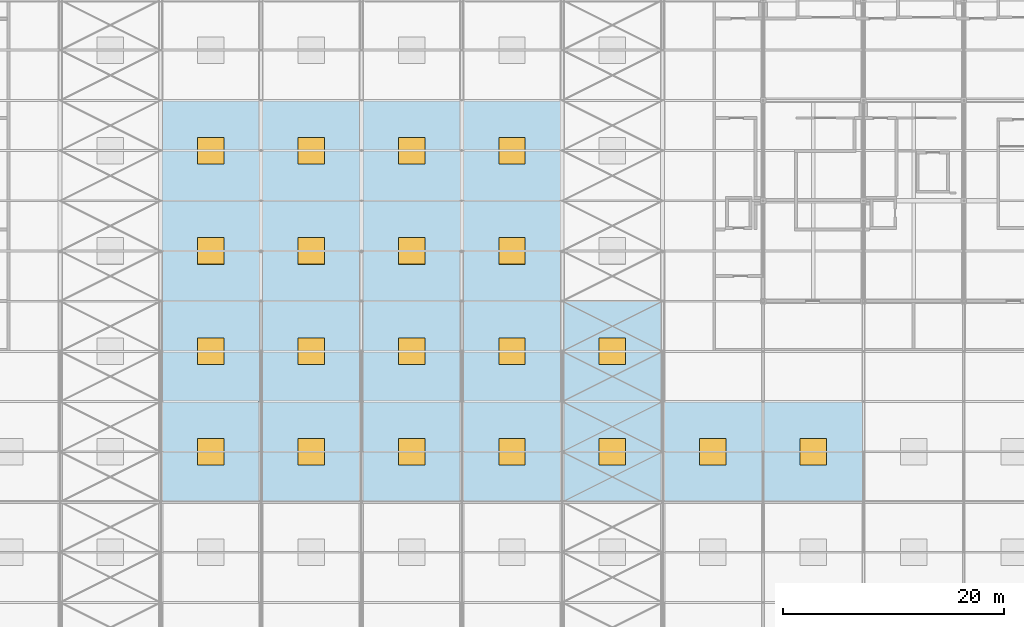
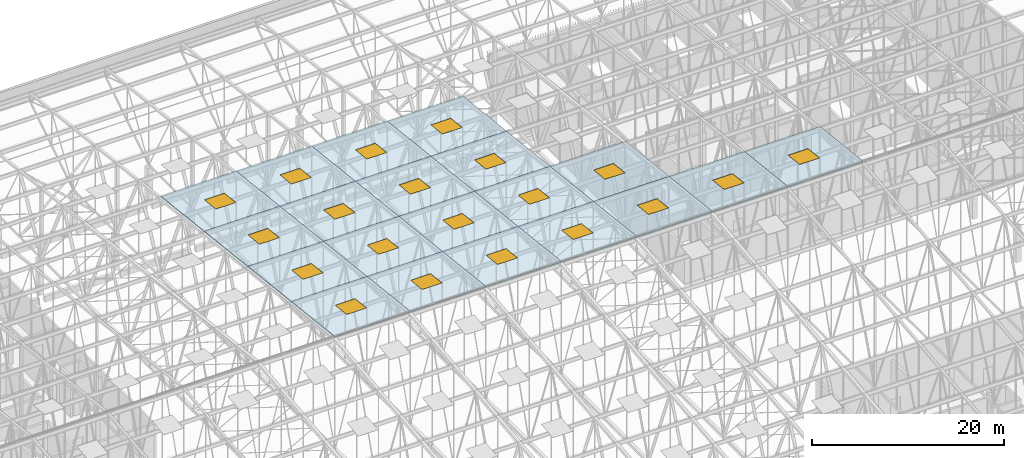
# One storey, part 421 of 500: 20 slabs, 20 windows, 20 openings.
"""IFC4 building model written with IfcOpenShell, lengths in metres."""

import ifcopenshell
import ifcopenshell.guid

model = None  # the IFC model being written
_history = None  # IfcOwnerHistory: only IFC2X3 demands one
_inside = {}  # id of a spatial element -> (the spatial element, [elements in it])
_under = {}  # id of a project, library or spatial element -> (it, [spatial elements below it])
_declared = {}  # id of a project -> (the project, [libraries it declares])
_typed = {}  # id of a type object -> (the type object, [elements of that type])
_made_of = {}  # id of a material, layer set ... -> (it, [elements and type objects made of it])


def new_model(schema):
    """Start an empty IFC model of exactly this schema.

    Asked for "IFC4X3", IfcOpenShell would pick the latest addendum, in which some entities
    have other attributes; the version numbers below select the first issue.
    IFC2X3 requires an IfcOwnerHistory on every rooted entity: one is made here for all.
    """
    global model, _history
    if schema == "IFC4X3":
        model = ifcopenshell.file(schema_version=(4, 3, 0, 0))
    else:
        model = ifcopenshell.file(schema=schema)
    _inside.clear()
    _under.clear()
    _declared.clear()
    _typed.clear()
    _made_of.clear()
    _history = None
    if model.schema == "IFC2X3":
        org = make("IfcOrganization", Name="unknown")
        user = make(
            "IfcPersonAndOrganization",
            ThePerson=make("IfcPerson", FamilyName="unknown"),
            TheOrganization=org,
        )
        app = make(
            "IfcApplication",
            ApplicationDeveloper=org,
            Version="unknown",
            ApplicationFullName="unknown",
            ApplicationIdentifier="unknown",
        )
        _history = make(
            "IfcOwnerHistory",
            OwningUser=user,
            OwningApplication=app,
            ChangeAction="ADDED",
            CreationDate=0,
        )
    return model


def make(cls, **values):
    """One entity of the class cls with the attributes given. An attribute that is None is left unset."""
    return model.create_entity(
        cls, **{name: value for name, value in values.items() if value is not None}
    )


def rooted(cls, **values):
    """An entity with a GlobalId (a new one), such as an element, a storey or a relation."""
    return make(cls, GlobalId=ifcopenshell.guid.new(), OwnerHistory=_history, **values)


def si_unit(unit_type, name, prefix=None):
    """IfcSIUnit, for example si_unit("LENGTHUNIT", "METRE", prefix="MILLI")."""
    return make("IfcSIUnit", UnitType=unit_type, Prefix=prefix, Name=name)


def assignment(units):
    """IfcUnitAssignment: the units of a project."""
    return None if units is None else make("IfcUnitAssignment", Units=units)


def point(xyz):
    """IfcCartesianPoint."""
    return None if xyz is None else make("IfcCartesianPoint", Coordinates=xyz)


def direction(xyz):
    """IfcDirection."""
    return None if xyz is None else make("IfcDirection", DirectionRatios=xyz)


def frame(location, z_axis=None, x_axis=None):
    """IfcAxis2Placement3D, a coordinate frame: its origin and axes. An axis left out is left unset."""
    return make(
        "IfcAxis2Placement3D",
        Location=point(location),
        Axis=direction(z_axis),
        RefDirection=direction(x_axis),
    )


def frame_2d(location, x_axis=None):
    """IfcAxis2Placement2D, a coordinate frame in the plane: its origin and x axis."""
    return make(
        "IfcAxis2Placement2D", Location=point(location), RefDirection=direction(x_axis)
    )


def origin():
    """The frame at (0, 0, 0) with its axes left unset."""
    return frame((0.0, 0.0, 0.0))


def origin_2d():
    """The frame at (0, 0) in the plane with its x axis left unset."""
    return frame_2d((0.0, 0.0))


def place(relative_to, where):
    """IfcLocalPlacement: puts the frame where relative to a parent placement (None: the world)."""
    return make(
        "IfcLocalPlacement", PlacementRelTo=relative_to, RelativePlacement=where
    )


def context(
    kind, dimensions, precision=None, world=None, true_north=None, identifier=None
):
    """IfcGeometricRepresentationContext, for example the 3D "Model" context."""
    return make(
        "IfcGeometricRepresentationContext",
        ContextIdentifier=identifier,
        ContextType=kind,
        CoordinateSpaceDimension=dimensions,
        Precision=precision,
        WorldCoordinateSystem=world,
        TrueNorth=true_north,
    )


def subcontext(parent, identifier, kind, view, scale=None):
    """IfcGeometricRepresentationSubContext, for example "Body" below "Model"."""
    return make(
        "IfcGeometricRepresentationSubContext",
        ContextIdentifier=identifier,
        ContextType=kind,
        ParentContext=parent,
        TargetScale=scale,
        TargetView=view,
    )


def project(units=None, contexts=None):
    """IfcProject with its units and contexts."""
    return rooted(
        "IfcProject",
        Name="project",
        RepresentationContexts=contexts,
        UnitsInContext=assignment(units),
    )


def spatial(cls, under=None, at=None, **own):
    """A site, building, storey or space (cls), placed at a placement, below another one or the project."""
    s = rooted(cls, ObjectPlacement=at, **own)
    if under is not None:
        _under.setdefault(under.id(), (under, []))[1].append(s)
    return s


def polyline(points):
    """IfcPolyline through the points."""
    return make("IfcPolyline", Points=[point(p) for p in points])


def profile(cls, at=None, kind="AREA", **sizes):
    """A parametric profile (cls). Its sizes go by their IFC names, for example OverallWidth=200.0."""
    return make(cls, ProfileType=kind, Position=at, **sizes)


def rectangle(**sizes):
    """IfcRectangleProfileDef."""
    return profile("IfcRectangleProfileDef", **sizes)


def outline(outer, holes=None, kind="AREA"):
    """IfcArbitraryClosedProfileDef: a profile drawn as a closed curve; with holes, ...WithVoids."""
    if holes is None:
        return make("IfcArbitraryClosedProfileDef", ProfileType=kind, OuterCurve=outer)
    return make(
        "IfcArbitraryProfileDefWithVoids",
        ProfileType=kind,
        OuterCurve=outer,
        InnerCurves=holes,
    )


def extrude(swept, where, along, depth):
    """IfcExtrudedAreaSolid: the profile swept, set in the frame where, extruded along a direction by depth."""
    return make(
        "IfcExtrudedAreaSolid",
        SweptArea=swept,
        Position=where,
        ExtrudedDirection=direction(along),
        Depth=depth,
    )


def shape(context_of_items, identifier, shape_type, items):
    """IfcShapeRepresentation: the items that make up one representation, for example the "Body"."""
    return make(
        "IfcShapeRepresentation",
        ContextOfItems=context_of_items,
        RepresentationIdentifier=identifier,
        RepresentationType=shape_type,
        Items=items,
    )


def material(Name=None, Category=None):
    """IfcMaterial."""
    return make("IfcMaterial", Name=Name, Category=Category)


def layer(
    of_material, thickness, ventilated=None, Name=None, Category=None, Priority=None
):
    """IfcMaterialLayer: one layer of a wall or slab, of a material (None: an air gap)."""
    return make(
        "IfcMaterialLayer",
        Material=of_material,
        LayerThickness=thickness,
        IsVentilated=ventilated,
        Name=Name,
        Category=Category,
        Priority=Priority,
    )


def layer_set(layers, Name=None):
    """IfcMaterialLayerSet."""
    return make("IfcMaterialLayerSet", MaterialLayers=layers, LayerSetName=Name)


def made_of(thing, what):
    """Note that an element or type object is made of a material, layer set ...; save() writes the relation."""
    if what is not None:
        _made_of.setdefault(what.id(), (what, []))[1].append(thing)
    return thing


def type_object(cls, material=None, **own):
    """A type object (cls), such as IfcWallType, which elements share."""
    return made_of(rooted(cls, **own), material)


def element(
    cls,
    number,
    at=None,
    inside=None,
    cuts=None,
    type_object=None,
    material=None,
    context=None,
    identifier="Body",
    shape_type=None,
    held_by="IfcProductDefinitionShape",
    body=None,
    shapes=None,
    **own,
):
    """One element of the class cls, such as IfcWall. Its Tag is "e" and its number.

    at: its placement. inside: the storey or other place that contains it. cuts: it is an
    opening in that element (IfcRelVoidsElement). A single representation is given by context,
    identifier, shape_type and body (its items); several are given by shapes. held_by: the class
    of the entity that holds the representations. save() writes the other relations.
    """
    e = rooted(cls, Tag="e%d" % number, ObjectPlacement=at, **own)
    if body is not None:
        shapes = [shape(context, identifier, shape_type, body)]
    if shapes is not None:
        e.Representation = make(held_by, Representations=shapes)
    if inside is not None:
        _inside.setdefault(inside.id(), (inside, []))[1].append(e)
    if cuts is not None:
        rooted(
            "IfcRelVoidsElement", RelatingBuildingElement=cuts, RelatedOpeningElement=e
        )
    if type_object is not None:
        _typed.setdefault(type_object.id(), (type_object, []))[1].append(e)
    return made_of(e, material)


def fill(opening, filler):
    """IfcRelFillsElement: the door or window that sits in an opening."""
    return rooted(
        "IfcRelFillsElement",
        RelatingOpeningElement=opening,
        RelatedBuildingElement=filler,
    )


def aggregate(whole, parts):
    """IfcRelAggregates: a whole, such as a stair, and the parts it consists of."""
    return rooted("IfcRelAggregates", RelatingObject=whole, RelatedObjects=parts)


def save(model, path):
    """Write the relations noted so far, then the file.

    IfcRelAggregates (storeys below a building ...), IfcRelContainedInSpatialStructure (elements
    in a storey), IfcRelDefinesByType, IfcRelAssociatesMaterial and IfcRelDeclares: one each for
    every whole, place, type object, material and project.
    """
    for whole, parts in _under.values():
        aggregate(whole, parts)
    for where, things in _inside.values():
        rooted(
            "IfcRelContainedInSpatialStructure",
            RelatedElements=things,
            RelatingStructure=where,
        )
    for kind, things in _typed.values():
        rooted("IfcRelDefinesByType", RelatedObjects=things, RelatingType=kind)
    for what, things in _made_of.values():
        rooted("IfcRelAssociatesMaterial", RelatedObjects=things, RelatingMaterial=what)
    for by, libraries in _declared.values():
        rooted("IfcRelDeclares", RelatingContext=by, RelatedDefinitions=libraries)
    model.write(path)


model = new_model("IFC4")

# Units and contexts
model_context = context("Model", 3, precision=1e-05, world=origin(), true_north=direction((0.0, 1.0)))
body_context = subcontext(model_context, "Body", "Model", "MODEL_VIEW")
ifc_project = project(units=[si_unit("LENGTHUNIT", "METRE"), si_unit("AREAUNIT", "SQUARE_METRE"), si_unit("VOLUMEUNIT", "CUBIC_METRE"), si_unit("PLANEANGLEUNIT", "RADIAN"), si_unit("MASSUNIT", "GRAM", prefix="KILO")], contexts=[model_context])

# Site, building, storey
site_placement = place(None, origin())
site = spatial("IfcSite", under=ifc_project, at=site_placement, CompositionType="ELEMENT")
building_placement = place(site_placement, origin())
building = spatial("IfcBuilding", under=site, at=building_placement, Name="Shirokan Park Arena", CompositionType="ELEMENT")
storey_placement = place(building_placement, frame((0.0, 0.0, 29.1201171875)))
storey = spatial("IfcBuildingStorey", under=building, at=storey_placement, Name="L06", CompositionType="ELEMENT", Elevation=29.1201171875)

# Slab, opening, window
ifc_material_1 = material(Name="Concrete C30 precast", Category="concrete")
ifc_layer = layer(ifc_material_1, 0.1201171875)
ifc_layer_set = layer_set([ifc_layer], Name="Concrete C30 precast 120 mm")
slab_type = type_object("IfcSlabType", Name="Roof deck panel 120", PredefinedType="ROOF", material=ifc_layer_set)
slab_1_placement = place(storey_placement, frame((54.60009765625, 54.60009765625, 19.110595703125), z_axis=(0.0, 0.113552605302, 0.993531985308), x_axis=(1.0, 0.0, 0.0)))
slab_1 = element("IfcSlab", 1, at=slab_1_placement, inside=storey, type_object=slab_type, Name="Roof deck panel 8-8", PredefinedType="ROOF", context=body_context, shape_type="SweptSolid", body=[
    extrude(outline(polyline([(0.0, 0.0), (9.099853515625, 0.0), (9.099853515625, 9.159094674549365), (0.0, 9.159094674549365), (0.0, 0.0)]), holes=[polyline([(3.349853515625, 3.371655970585497), (5.75, 3.371655970585497), (5.75, 5.787410981159839), (3.349853515625, 5.787410981159839), (3.349853515625, 3.371655970585497)])]), origin(), (0.0, 0.0, -1.0), 0.1201171875),
])
opening_1_placement = place(slab_1_placement, frame((4.5498046875, 4.579345703125, 0.010009765625)))
opening_1 = element("IfcOpeningElement", 2, at=opening_1_placement, cuts=slab_1, Name="Opening RL1", PredefinedType="OPENING", context=body_context, shape_type="SweptSolid", body=[
    extrude(rectangle(XDim=2.39990234375, YDim=2.415526001417119, at=origin_2d()), origin(), (0.0, 0.0, -1.0), 0.139892578125),
])
ifc_material_2 = material(Name="Aluminium frame with laminated glass", Category="aluminium")
window_type = type_object("IfcWindowType", Name="Roof light 2400x2400", PartitioningType="SINGLE_PANEL", PredefinedType="SKYLIGHT", material=ifc_material_2)
window_1_placement = place(opening_1_placement, frame((0.0, 0.0, -0.06005859375)))
window_1 = element("IfcWindow", 3, at=window_1_placement, inside=storey, type_object=window_type, Name="Roof light 08-08", OverallHeight=2.415526001417119, OverallWidth=2.39990234375, PartitioningType="SINGLE_PANEL", PredefinedType="SKYLIGHT", context=body_context, shape_type="SweptSolid", body=[
    extrude(rectangle(XDim=2.39990234375, YDim=2.415526001417119, at=origin_2d()), origin(), (0.0, 0.0, 1.0), 0.050048828125),
])
fill(opening_1, window_1)

slab_2_placement = place(storey_placement, frame((54.60009765625, 63.699951171875, 18.070556640625), z_axis=(0.0, 0.113523286872, 0.993535335727), x_axis=(1.0, 0.0, 0.0)))
slab_2 = element("IfcSlab", 4, at=slab_2_placement, inside=storey, type_object=slab_type, Name="Roof deck panel 8-9", PredefinedType="ROOF", context=body_context, shape_type="SweptSolid", body=[
    extrude(outline(polyline([(0.0, 0.0), (9.099853515625, 0.0), (9.099853515625, 9.159309517253131), (0.0, 9.159309517253131), (0.0, 0.0)]), holes=[polyline([(3.349853515625, 3.371898532875618), (5.75, 3.371898532875618), (5.75, 5.787410984377513), (3.349853515625, 5.787410984377513), (3.349853515625, 3.371898532875618)])]), origin(), (0.0, 0.0, -1.0), 0.1201171875),
])
opening_2_placement = place(slab_2_placement, frame((4.5498046875, 4.57958984375, 0.010009765625)))
opening_2 = element("IfcOpeningElement", 5, at=opening_2_placement, cuts=slab_2, Name="Opening RL1", PredefinedType="OPENING", context=body_context, shape_type="SweptSolid", body=[
    extrude(rectangle(XDim=2.39990234375, YDim=2.4155178557331727, at=origin_2d()), origin(), (0.0, 0.0, -1.0), 0.139892578125),
])
window_2_placement = place(opening_2_placement, frame((0.0, 0.0, -0.06005859375)))
window_2 = element("IfcWindow", 6, at=window_2_placement, inside=storey, type_object=window_type, Name="Roof light 08-09", OverallHeight=2.4155178557331727, OverallWidth=2.39990234375, PartitioningType="SINGLE_PANEL", PredefinedType="SKYLIGHT", context=body_context, shape_type="SweptSolid", body=[
    extrude(rectangle(XDim=2.39990234375, YDim=2.4155178557331727, at=origin_2d()), origin(), (0.0, 0.0, 1.0), 0.050048828125),
])
fill(opening_2, window_2)

slab_3_placement = place(storey_placement, frame((54.60009765625, 72.800048828125, 17.03076171875), z_axis=(0.0, 0.113552605302, 0.993531985308), x_axis=(1.0, 0.0, 0.0)))
slab_3 = element("IfcSlab", 7, at=slab_3_placement, inside=storey, type_object=slab_type, Name="Roof deck panel 8-10", PredefinedType="ROOF", context=body_context, shape_type="SweptSolid", body=[
    extrude(outline(polyline([(0.0, 0.0), (9.099853515625, 0.0), (9.099853515625, 9.159094674549365), (0.0, 9.159094674549365), (0.0, 0.0)]), holes=[polyline([(3.349853515625, 3.371683693389526), (5.75, 3.371683693389526), (5.75, 5.7874387039638675), (3.349853515625, 5.7874387039638675), (3.349853515625, 3.371683693389526)])]), origin(), (0.0, 0.0, -1.0), 0.1201171875),
])
opening_3_placement = place(slab_3_placement, frame((4.5498046875, 4.57958984375, 0.010009765625)))
opening_3 = element("IfcOpeningElement", 8, at=opening_3_placement, cuts=slab_3, Name="Opening RL1", PredefinedType="OPENING", context=body_context, shape_type="SweptSolid", body=[
    extrude(rectangle(XDim=2.39990234375, YDim=2.415526001417119, at=origin_2d()), origin(), (0.0, 0.0, -1.0), 0.139892578125),
])
window_3_placement = place(opening_3_placement, frame((0.0, 0.0, -0.06005859375)))
window_3 = element("IfcWindow", 9, at=window_3_placement, inside=storey, type_object=window_type, Name="Roof light 08-10", OverallHeight=2.415526001417119, OverallWidth=2.39990234375, PartitioningType="SINGLE_PANEL", PredefinedType="SKYLIGHT", context=body_context, shape_type="SweptSolid", body=[
    extrude(rectangle(XDim=2.39990234375, YDim=2.415526001417119, at=origin_2d()), origin(), (0.0, 0.0, 1.0), 0.050048828125),
])
fill(opening_3, window_3)

slab_4_placement = place(storey_placement, frame((54.60009765625, 81.89990234375, 15.99072265625), z_axis=(0.0, 0.113549598152, 0.993532328996), x_axis=(1.0, 0.0, 0.0)))
slab_4 = element("IfcSlab", 10, at=slab_4_placement, inside=storey, type_object=slab_type, Name="Roof deck panel 8-11", PredefinedType="ROOF", context=body_context, shape_type="SweptSolid", body=[
    extrude(outline(polyline([(0.0, 0.0), (9.099853515625, 0.0), (9.099853515625, 9.15933723611117), (0.0, 9.15933723611117), (0.0, 0.0)]), holes=[polyline([(3.349853515625, 3.371898532319491), (5.75, 3.371898532319491), (5.75, 5.787438703791679), (3.349853515625, 5.787438703791679), (3.349853515625, 3.371898532319491)])]), origin(), (0.0, 0.0, -1.0), 0.1201171875),
])
opening_4_placement = place(slab_4_placement, frame((4.5498046875, 4.57958984375, 0.010009765625)))
opening_4 = element("IfcOpeningElement", 11, at=opening_4_placement, cuts=slab_4, Name="Opening RL1", PredefinedType="OPENING", context=body_context, shape_type="SweptSolid", body=[
    extrude(rectangle(XDim=2.39990234375, YDim=2.4155251658253154, at=origin_2d()), origin(), (0.0, 0.0, -1.0), 0.139892578125),
])
window_4_placement = place(opening_4_placement, frame((0.0, 0.0, -0.06005859375)))
window_4 = element("IfcWindow", 12, at=window_4_placement, inside=storey, type_object=window_type, Name="Roof light 08-11", OverallHeight=2.4155251658253154, OverallWidth=2.39990234375, PartitioningType="SINGLE_PANEL", PredefinedType="SKYLIGHT", context=body_context, shape_type="SweptSolid", body=[
    extrude(rectangle(XDim=2.39990234375, YDim=2.4155251658253154, at=origin_2d()), origin(), (0.0, 0.0, 1.0), 0.050048828125),
])
fill(opening_4, window_4)

slab_5_placement = place(storey_placement, frame((63.699951171875, 54.60009765625, 19.110595703125), z_axis=(0.0, 0.113552605302, 0.993531985308), x_axis=(1.0, 0.0, 0.0)))
slab_5 = element("IfcSlab", 13, at=slab_5_placement, inside=storey, type_object=slab_type, Name="Roof deck panel 9-8", PredefinedType="ROOF", context=body_context, shape_type="SweptSolid", body=[
    extrude(outline(polyline([(0.0, 0.0), (9.10009765625, 0.0), (9.10009765625, 9.159094674549367), (0.0, 9.159094674549367), (0.0, 0.0)]), holes=[polyline([(3.35009765625, 3.3716559705854974), (5.75, 3.3716559705854974), (5.75, 5.78741098115984), (3.35009765625, 5.78741098115984), (3.35009765625, 3.3716559705854974)])]), origin(), (0.0, 0.0, -1.0), 0.1201171875),
])
opening_5_placement = place(slab_5_placement, frame((4.550048828125, 4.579345703125, 0.010009765625)))
opening_5 = element("IfcOpeningElement", 14, at=opening_5_placement, cuts=slab_5, Name="Opening RL1", PredefinedType="OPENING", context=body_context, shape_type="SweptSolid", body=[
    extrude(rectangle(XDim=2.39990234375, YDim=2.4155260014171187, at=origin_2d()), origin(), (0.0, 0.0, -1.0), 0.139892578125),
])
window_5_placement = place(opening_5_placement, frame((0.0, 0.0, -0.06005859375)))
window_5 = element("IfcWindow", 15, at=window_5_placement, inside=storey, type_object=window_type, Name="Roof light 09-08", OverallHeight=2.4155260014171187, OverallWidth=2.39990234375, PartitioningType="SINGLE_PANEL", PredefinedType="SKYLIGHT", context=body_context, shape_type="SweptSolid", body=[
    extrude(rectangle(XDim=2.39990234375, YDim=2.4155260014171187, at=origin_2d()), origin(), (0.0, 0.0, 1.0), 0.050048828125),
])
fill(opening_5, window_5)

slab_6_placement = place(storey_placement, frame((63.699951171875, 63.699951171875, 18.070556640625), z_axis=(0.0, 0.113523286872, 0.993535335727), x_axis=(1.0, 0.0, 0.0)))
slab_6 = element("IfcSlab", 16, at=slab_6_placement, inside=storey, type_object=slab_type, Name="Roof deck panel 9-9", PredefinedType="ROOF", context=body_context, shape_type="SweptSolid", body=[
    extrude(outline(polyline([(0.0, 0.0), (9.10009765625, 0.0), (9.10009765625, 9.159309517253131), (0.0, 9.159309517253131), (0.0, 0.0)]), holes=[polyline([(3.35009765625, 3.371898532875618), (5.75, 3.371898532875618), (5.75, 5.787410984377513), (3.35009765625, 5.787410984377513), (3.35009765625, 3.371898532875618)])]), origin(), (0.0, 0.0, -1.0), 0.1201171875),
])
opening_6_placement = place(slab_6_placement, frame((4.550048828125, 4.57958984375, 0.010009765625)))
opening_6 = element("IfcOpeningElement", 17, at=opening_6_placement, cuts=slab_6, Name="Opening RL1", PredefinedType="OPENING", context=body_context, shape_type="SweptSolid", body=[
    extrude(rectangle(XDim=2.39990234375, YDim=2.4155178557331727, at=origin_2d()), origin(), (0.0, 0.0, -1.0), 0.139892578125),
])
window_6_placement = place(opening_6_placement, frame((0.0, 0.0, -0.06005859375)))
window_6 = element("IfcWindow", 18, at=window_6_placement, inside=storey, type_object=window_type, Name="Roof light 09-09", OverallHeight=2.4155178557331727, OverallWidth=2.39990234375, PartitioningType="SINGLE_PANEL", PredefinedType="SKYLIGHT", context=body_context, shape_type="SweptSolid", body=[
    extrude(rectangle(XDim=2.39990234375, YDim=2.4155178557331727, at=origin_2d()), origin(), (0.0, 0.0, 1.0), 0.050048828125),
])
fill(opening_6, window_6)

slab_7_placement = place(storey_placement, frame((63.699951171875, 72.800048828125, 17.03076171875), z_axis=(0.0, 0.113552605302, 0.993531985308), x_axis=(1.0, 0.0, 0.0)))
slab_7 = element("IfcSlab", 19, at=slab_7_placement, inside=storey, type_object=slab_type, Name="Roof deck panel 9-10", PredefinedType="ROOF", context=body_context, shape_type="SweptSolid", body=[
    extrude(outline(polyline([(0.0, 0.0), (9.10009765625, 0.0), (9.10009765625, 9.159094674549367), (0.0, 9.159094674549367), (0.0, 0.0)]), holes=[polyline([(3.35009765625, 3.3716836933895262), (5.75, 3.3716836933895262), (5.75, 5.787438703963868), (3.35009765625, 5.787438703963868), (3.35009765625, 3.3716836933895262)])]), origin(), (0.0, 0.0, -1.0), 0.1201171875),
])
opening_7_placement = place(slab_7_placement, frame((4.550048828125, 4.57958984375, 0.010009765625)))
opening_7 = element("IfcOpeningElement", 20, at=opening_7_placement, cuts=slab_7, Name="Opening RL1", PredefinedType="OPENING", context=body_context, shape_type="SweptSolid", body=[
    extrude(rectangle(XDim=2.39990234375, YDim=2.4155260014171187, at=origin_2d()), origin(), (0.0, 0.0, -1.0), 0.139892578125),
])
window_7_placement = place(opening_7_placement, frame((0.0, 0.0, -0.06005859375)))
window_7 = element("IfcWindow", 21, at=window_7_placement, inside=storey, type_object=window_type, Name="Roof light 09-10", OverallHeight=2.4155260014171187, OverallWidth=2.39990234375, PartitioningType="SINGLE_PANEL", PredefinedType="SKYLIGHT", context=body_context, shape_type="SweptSolid", body=[
    extrude(rectangle(XDim=2.39990234375, YDim=2.4155260014171187, at=origin_2d()), origin(), (0.0, 0.0, 1.0), 0.050048828125),
])
fill(opening_7, window_7)

slab_8_placement = place(storey_placement, frame((63.699951171875, 81.89990234375, 15.99072265625), z_axis=(0.0, 0.113549598152, 0.993532328996), x_axis=(1.0, 0.0, 0.0)))
slab_8 = element("IfcSlab", 22, at=slab_8_placement, inside=storey, type_object=slab_type, Name="Roof deck panel 9-11", PredefinedType="ROOF", context=body_context, shape_type="SweptSolid", body=[
    extrude(outline(polyline([(0.0, 0.0), (9.10009765625, 0.0), (9.10009765625, 9.15933723611117), (0.0, 9.15933723611117), (0.0, 0.0)]), holes=[polyline([(3.35009765625, 3.3718985323194914), (5.75, 3.3718985323194914), (5.75, 5.78743870379168), (3.35009765625, 5.78743870379168), (3.35009765625, 3.3718985323194914)])]), origin(), (0.0, 0.0, -1.0), 0.1201171875),
])
opening_8_placement = place(slab_8_placement, frame((4.550048828125, 4.57958984375, 0.010009765625)))
opening_8 = element("IfcOpeningElement", 23, at=opening_8_placement, cuts=slab_8, Name="Opening RL1", PredefinedType="OPENING", context=body_context, shape_type="SweptSolid", body=[
    extrude(rectangle(XDim=2.39990234375, YDim=2.4155251658253154, at=origin_2d()), origin(), (0.0, 0.0, -1.0), 0.139892578125),
])
window_8_placement = place(opening_8_placement, frame((0.0, 0.0, -0.06005859375)))
window_8 = element("IfcWindow", 24, at=window_8_placement, inside=storey, type_object=window_type, Name="Roof light 09-11", OverallHeight=2.4155251658253154, OverallWidth=2.39990234375, PartitioningType="SINGLE_PANEL", PredefinedType="SKYLIGHT", context=body_context, shape_type="SweptSolid", body=[
    extrude(rectangle(XDim=2.39990234375, YDim=2.4155251658253154, at=origin_2d()), origin(), (0.0, 0.0, 1.0), 0.050048828125),
])
fill(opening_8, window_8)

slab_9_placement = place(storey_placement, frame((72.800048828125, 54.60009765625, 19.110595703125), z_axis=(0.0, 0.113552605302, 0.993531985308), x_axis=(1.0, 0.0, 0.0)))
slab_9 = element("IfcSlab", 25, at=slab_9_placement, inside=storey, type_object=slab_type, Name="Roof deck panel 10-8", PredefinedType="ROOF", context=body_context, shape_type="SweptSolid", body=[
    extrude(outline(polyline([(0.0, 0.0), (9.099853515625, 0.0), (9.099853515625, 9.159094674549365), (0.0, 9.159094674549365), (0.0, 0.0)]), holes=[polyline([(3.349853515625, 3.371655970585497), (5.75, 3.371655970585497), (5.75, 5.787410981159839), (3.349853515625, 5.787410981159839), (3.349853515625, 3.371655970585497)])]), origin(), (0.0, 0.0, -1.0), 0.1201171875),
])
opening_9_placement = place(slab_9_placement, frame((4.550048828125, 4.579345703125, 0.010009765625)))
opening_9 = element("IfcOpeningElement", 26, at=opening_9_placement, cuts=slab_9, Name="Opening RL1", PredefinedType="OPENING", context=body_context, shape_type="SweptSolid", body=[
    extrude(rectangle(XDim=2.39990234375, YDim=2.415526001417119, at=origin_2d()), origin(), (0.0, 0.0, -1.0), 0.139892578125),
])
window_9_placement = place(opening_9_placement, frame((0.0, 0.0, -0.06005859375)))
window_9 = element("IfcWindow", 27, at=window_9_placement, inside=storey, type_object=window_type, Name="Roof light 10-08", OverallHeight=2.415526001417119, OverallWidth=2.39990234375, PartitioningType="SINGLE_PANEL", PredefinedType="SKYLIGHT", context=body_context, shape_type="SweptSolid", body=[
    extrude(rectangle(XDim=2.39990234375, YDim=2.415526001417119, at=origin_2d()), origin(), (0.0, 0.0, 1.0), 0.050048828125),
])
fill(opening_9, window_9)

slab_10_placement = place(storey_placement, frame((72.800048828125, 63.699951171875, 18.070556640625), z_axis=(0.0, 0.113523286872, 0.993535335727), x_axis=(1.0, 0.0, 0.0)))
slab_10 = element("IfcSlab", 28, at=slab_10_placement, inside=storey, type_object=slab_type, Name="Roof deck panel 10-9", PredefinedType="ROOF", context=body_context, shape_type="SweptSolid", body=[
    extrude(outline(polyline([(0.0, 0.0), (9.099853515625, 0.0), (9.099853515625, 9.159309517253131), (0.0, 9.159309517253131), (0.0, 0.0)]), holes=[polyline([(3.349853515625, 3.371898532875618), (5.75, 3.371898532875618), (5.75, 5.787410984377513), (3.349853515625, 5.787410984377513), (3.349853515625, 3.371898532875618)])]), origin(), (0.0, 0.0, -1.0), 0.1201171875),
])
opening_10_placement = place(slab_10_placement, frame((4.550048828125, 4.57958984375, 0.010009765625)))
opening_10 = element("IfcOpeningElement", 29, at=opening_10_placement, cuts=slab_10, Name="Opening RL1", PredefinedType="OPENING", context=body_context, shape_type="SweptSolid", body=[
    extrude(rectangle(XDim=2.39990234375, YDim=2.4155178557331727, at=origin_2d()), origin(), (0.0, 0.0, -1.0), 0.139892578125),
])
window_10_placement = place(opening_10_placement, frame((0.0, 0.0, -0.06005859375)))
window_10 = element("IfcWindow", 30, at=window_10_placement, inside=storey, type_object=window_type, Name="Roof light 10-09", OverallHeight=2.4155178557331727, OverallWidth=2.39990234375, PartitioningType="SINGLE_PANEL", PredefinedType="SKYLIGHT", context=body_context, shape_type="SweptSolid", body=[
    extrude(rectangle(XDim=2.39990234375, YDim=2.4155178557331727, at=origin_2d()), origin(), (0.0, 0.0, 1.0), 0.050048828125),
])
fill(opening_10, window_10)

slab_11_placement = place(storey_placement, frame((72.800048828125, 72.800048828125, 17.03076171875), z_axis=(0.0, 0.113552605302, 0.993531985308), x_axis=(1.0, 0.0, 0.0)))
slab_11 = element("IfcSlab", 31, at=slab_11_placement, inside=storey, type_object=slab_type, Name="Roof deck panel 10-10", PredefinedType="ROOF", context=body_context, shape_type="SweptSolid", body=[
    extrude(outline(polyline([(0.0, 0.0), (9.099853515625, 0.0), (9.099853515625, 9.159094674549365), (0.0, 9.159094674549365), (0.0, 0.0)]), holes=[polyline([(3.349853515625, 3.371683693389526), (5.75, 3.371683693389526), (5.75, 5.7874387039638675), (3.349853515625, 5.7874387039638675), (3.349853515625, 3.371683693389526)])]), origin(), (0.0, 0.0, -1.0), 0.1201171875),
])
opening_11_placement = place(slab_11_placement, frame((4.550048828125, 4.57958984375, 0.010009765625)))
opening_11 = element("IfcOpeningElement", 32, at=opening_11_placement, cuts=slab_11, Name="Opening RL1", PredefinedType="OPENING", context=body_context, shape_type="SweptSolid", body=[
    extrude(rectangle(XDim=2.39990234375, YDim=2.415526001417119, at=origin_2d()), origin(), (0.0, 0.0, -1.0), 0.139892578125),
])
window_11_placement = place(opening_11_placement, frame((0.0, 0.0, -0.06005859375)))
window_11 = element("IfcWindow", 33, at=window_11_placement, inside=storey, type_object=window_type, Name="Roof light 10-10", OverallHeight=2.415526001417119, OverallWidth=2.39990234375, PartitioningType="SINGLE_PANEL", PredefinedType="SKYLIGHT", context=body_context, shape_type="SweptSolid", body=[
    extrude(rectangle(XDim=2.39990234375, YDim=2.415526001417119, at=origin_2d()), origin(), (0.0, 0.0, 1.0), 0.050048828125),
])
fill(opening_11, window_11)

slab_12_placement = place(storey_placement, frame((72.800048828125, 81.89990234375, 15.99072265625), z_axis=(0.0, 0.113549598152, 0.993532328996), x_axis=(1.0, 0.0, 0.0)))
slab_12 = element("IfcSlab", 34, at=slab_12_placement, inside=storey, type_object=slab_type, Name="Roof deck panel 10-11", PredefinedType="ROOF", context=body_context, shape_type="SweptSolid", body=[
    extrude(outline(polyline([(0.0, 0.0), (9.099853515625, 0.0), (9.099853515625, 9.15933723611117), (0.0, 9.15933723611117), (0.0, 0.0)]), holes=[polyline([(3.349853515625, 3.371898532319491), (5.75, 3.371898532319491), (5.75, 5.787438703791679), (3.349853515625, 5.787438703791679), (3.349853515625, 3.371898532319491)])]), origin(), (0.0, 0.0, -1.0), 0.1201171875),
])
opening_12_placement = place(slab_12_placement, frame((4.550048828125, 4.57958984375, 0.010009765625)))
opening_12 = element("IfcOpeningElement", 35, at=opening_12_placement, cuts=slab_12, Name="Opening RL1", PredefinedType="OPENING", context=body_context, shape_type="SweptSolid", body=[
    extrude(rectangle(XDim=2.39990234375, YDim=2.4155251658253154, at=origin_2d()), origin(), (0.0, 0.0, -1.0), 0.139892578125),
])
window_12_placement = place(opening_12_placement, frame((0.0, 0.0, -0.06005859375)))
window_12 = element("IfcWindow", 36, at=window_12_placement, inside=storey, type_object=window_type, Name="Roof light 10-11", OverallHeight=2.4155251658253154, OverallWidth=2.39990234375, PartitioningType="SINGLE_PANEL", PredefinedType="SKYLIGHT", context=body_context, shape_type="SweptSolid", body=[
    extrude(rectangle(XDim=2.39990234375, YDim=2.4155251658253154, at=origin_2d()), origin(), (0.0, 0.0, 1.0), 0.050048828125),
])
fill(opening_12, window_12)

slab_13_placement = place(storey_placement, frame((81.89990234375, 54.60009765625, 19.110595703125), z_axis=(0.0, 0.113552605302, 0.993531985308), x_axis=(1.0, 0.0, 0.0)))
slab_13 = element("IfcSlab", 37, at=slab_13_placement, inside=storey, type_object=slab_type, Name="Roof deck panel 11-8", PredefinedType="ROOF", context=body_context, shape_type="SweptSolid", body=[
    extrude(outline(polyline([(0.0, 0.0), (9.10009765625, 0.0), (9.10009765625, 9.159094674549367), (0.0, 9.159094674549367), (0.0, 0.0)]), holes=[polyline([(3.35009765625, 3.3716559705854974), (5.75, 3.3716559705854974), (5.75, 5.78741098115984), (3.35009765625, 5.78741098115984), (3.35009765625, 3.3716559705854974)])]), origin(), (0.0, 0.0, -1.0), 0.1201171875),
])
opening_13_placement = place(slab_13_placement, frame((4.550048828125, 4.579345703125, 0.010009765625)))
opening_13 = element("IfcOpeningElement", 38, at=opening_13_placement, cuts=slab_13, Name="Opening RL1", PredefinedType="OPENING", context=body_context, shape_type="SweptSolid", body=[
    extrude(rectangle(XDim=2.39990234375, YDim=2.4155260014171187, at=origin_2d()), origin(), (0.0, 0.0, -1.0), 0.139892578125),
])
window_13_placement = place(opening_13_placement, frame((0.0, 0.0, -0.06005859375)))
window_13 = element("IfcWindow", 39, at=window_13_placement, inside=storey, type_object=window_type, Name="Roof light 11-08", OverallHeight=2.4155260014171187, OverallWidth=2.39990234375, PartitioningType="SINGLE_PANEL", PredefinedType="SKYLIGHT", context=body_context, shape_type="SweptSolid", body=[
    extrude(rectangle(XDim=2.39990234375, YDim=2.4155260014171187, at=origin_2d()), origin(), (0.0, 0.0, 1.0), 0.050048828125),
])
fill(opening_13, window_13)

slab_14_placement = place(storey_placement, frame((81.89990234375, 63.699951171875, 18.070556640625), z_axis=(0.0, 0.113523286872, 0.993535335727), x_axis=(1.0, 0.0, 0.0)))
slab_14 = element("IfcSlab", 40, at=slab_14_placement, inside=storey, type_object=slab_type, Name="Roof deck panel 11-9", PredefinedType="ROOF", context=body_context, shape_type="SweptSolid", body=[
    extrude(outline(polyline([(0.0, 0.0), (9.10009765625, 0.0), (9.10009765625, 9.159309517253131), (0.0, 9.159309517253131), (0.0, 0.0)]), holes=[polyline([(3.35009765625, 3.371898532875618), (5.75, 3.371898532875618), (5.75, 5.787410984377513), (3.35009765625, 5.787410984377513), (3.35009765625, 3.371898532875618)])]), origin(), (0.0, 0.0, -1.0), 0.1201171875),
])
opening_14_placement = place(slab_14_placement, frame((4.550048828125, 4.57958984375, 0.010009765625)))
opening_14 = element("IfcOpeningElement", 41, at=opening_14_placement, cuts=slab_14, Name="Opening RL1", PredefinedType="OPENING", context=body_context, shape_type="SweptSolid", body=[
    extrude(rectangle(XDim=2.39990234375, YDim=2.4155178557331727, at=origin_2d()), origin(), (0.0, 0.0, -1.0), 0.139892578125),
])
window_14_placement = place(opening_14_placement, frame((0.0, 0.0, -0.06005859375)))
window_14 = element("IfcWindow", 42, at=window_14_placement, inside=storey, type_object=window_type, Name="Roof light 11-09", OverallHeight=2.4155178557331727, OverallWidth=2.39990234375, PartitioningType="SINGLE_PANEL", PredefinedType="SKYLIGHT", context=body_context, shape_type="SweptSolid", body=[
    extrude(rectangle(XDim=2.39990234375, YDim=2.4155178557331727, at=origin_2d()), origin(), (0.0, 0.0, 1.0), 0.050048828125),
])
fill(opening_14, window_14)

slab_15_placement = place(storey_placement, frame((81.89990234375, 72.800048828125, 17.03076171875), z_axis=(0.0, 0.113552605302, 0.993531985308), x_axis=(1.0, 0.0, 0.0)))
slab_15 = element("IfcSlab", 43, at=slab_15_placement, inside=storey, type_object=slab_type, Name="Roof deck panel 11-10", PredefinedType="ROOF", context=body_context, shape_type="SweptSolid", body=[
    extrude(outline(polyline([(0.0, 0.0), (9.10009765625, 0.0), (9.10009765625, 9.159094674549367), (0.0, 9.159094674549367), (0.0, 0.0)]), holes=[polyline([(3.35009765625, 3.3716836933895262), (5.75, 3.3716836933895262), (5.75, 5.787438703963868), (3.35009765625, 5.787438703963868), (3.35009765625, 3.3716836933895262)])]), origin(), (0.0, 0.0, -1.0), 0.1201171875),
])
opening_15_placement = place(slab_15_placement, frame((4.550048828125, 4.57958984375, 0.010009765625)))
opening_15 = element("IfcOpeningElement", 44, at=opening_15_placement, cuts=slab_15, Name="Opening RL1", PredefinedType="OPENING", context=body_context, shape_type="SweptSolid", body=[
    extrude(rectangle(XDim=2.39990234375, YDim=2.4155260014171187, at=origin_2d()), origin(), (0.0, 0.0, -1.0), 0.139892578125),
])
window_15_placement = place(opening_15_placement, frame((0.0, 0.0, -0.06005859375)))
window_15 = element("IfcWindow", 45, at=window_15_placement, inside=storey, type_object=window_type, Name="Roof light 11-10", OverallHeight=2.4155260014171187, OverallWidth=2.39990234375, PartitioningType="SINGLE_PANEL", PredefinedType="SKYLIGHT", context=body_context, shape_type="SweptSolid", body=[
    extrude(rectangle(XDim=2.39990234375, YDim=2.4155260014171187, at=origin_2d()), origin(), (0.0, 0.0, 1.0), 0.050048828125),
])
fill(opening_15, window_15)

slab_16_placement = place(storey_placement, frame((81.89990234375, 81.89990234375, 15.99072265625), z_axis=(0.0, 0.113549598152, 0.993532328996), x_axis=(1.0, 0.0, 0.0)))
slab_16 = element("IfcSlab", 46, at=slab_16_placement, inside=storey, type_object=slab_type, Name="Roof deck panel 11-11", PredefinedType="ROOF", context=body_context, shape_type="SweptSolid", body=[
    extrude(outline(polyline([(0.0, 0.0), (9.10009765625, 0.0), (9.10009765625, 9.15933723611117), (0.0, 9.15933723611117), (0.0, 0.0)]), holes=[polyline([(3.35009765625, 3.3718985323194914), (5.75, 3.3718985323194914), (5.75, 5.78743870379168), (3.35009765625, 5.78743870379168), (3.35009765625, 3.3718985323194914)])]), origin(), (0.0, 0.0, -1.0), 0.1201171875),
])
opening_16_placement = place(slab_16_placement, frame((4.550048828125, 4.57958984375, 0.010009765625)))
opening_16 = element("IfcOpeningElement", 47, at=opening_16_placement, cuts=slab_16, Name="Opening RL1", PredefinedType="OPENING", context=body_context, shape_type="SweptSolid", body=[
    extrude(rectangle(XDim=2.39990234375, YDim=2.4155251658253154, at=origin_2d()), origin(), (0.0, 0.0, -1.0), 0.139892578125),
])
window_16_placement = place(opening_16_placement, frame((0.0, 0.0, -0.06005859375)))
window_16 = element("IfcWindow", 48, at=window_16_placement, inside=storey, type_object=window_type, Name="Roof light 11-11", OverallHeight=2.4155251658253154, OverallWidth=2.39990234375, PartitioningType="SINGLE_PANEL", PredefinedType="SKYLIGHT", context=body_context, shape_type="SweptSolid", body=[
    extrude(rectangle(XDim=2.39990234375, YDim=2.4155251658253154, at=origin_2d()), origin(), (0.0, 0.0, 1.0), 0.050048828125),
])
fill(opening_16, window_16)

slab_17_placement = place(storey_placement, frame((91.0, 54.60009765625, 19.110595703125), z_axis=(0.0, 0.113552605302, 0.993531985308), x_axis=(1.0, 0.0, 0.0)))
slab_17 = element("IfcSlab", 49, at=slab_17_placement, inside=storey, type_object=slab_type, Name="Roof deck panel 12-8", PredefinedType="ROOF", context=body_context, shape_type="SweptSolid", body=[
    extrude(outline(polyline([(0.0, 0.0), (9.10009765625, 0.0), (9.10009765625, 9.159094674549367), (0.0, 9.159094674549367), (0.0, 0.0)]), holes=[polyline([(3.35009765625, 3.3716559705854974), (5.75, 3.3716559705854974), (5.75, 5.78741098115984), (3.35009765625, 5.78741098115984), (3.35009765625, 3.3716559705854974)])]), origin(), (0.0, 0.0, -1.0), 0.1201171875),
])
opening_17_placement = place(slab_17_placement, frame((4.550048828125, 4.579345703125, 0.010009765625)))
opening_17 = element("IfcOpeningElement", 50, at=opening_17_placement, cuts=slab_17, Name="Opening RL1", PredefinedType="OPENING", context=body_context, shape_type="SweptSolid", body=[
    extrude(rectangle(XDim=2.39990234375, YDim=2.4155260014171187, at=origin_2d()), origin(), (0.0, 0.0, -1.0), 0.139892578125),
])
window_17_placement = place(opening_17_placement, frame((0.0, 0.0, -0.06005859375)))
window_17 = element("IfcWindow", 51, at=window_17_placement, inside=storey, type_object=window_type, Name="Roof light 12-08", OverallHeight=2.4155260014171187, OverallWidth=2.39990234375, PartitioningType="SINGLE_PANEL", PredefinedType="SKYLIGHT", context=body_context, shape_type="SweptSolid", body=[
    extrude(rectangle(XDim=2.39990234375, YDim=2.4155260014171187, at=origin_2d()), origin(), (0.0, 0.0, 1.0), 0.050048828125),
])
fill(opening_17, window_17)

slab_18_placement = place(storey_placement, frame((91.0, 63.699951171875, 18.070556640625), z_axis=(0.0, 0.113523286872, 0.993535335727), x_axis=(1.0, 0.0, 0.0)))
slab_18 = element("IfcSlab", 52, at=slab_18_placement, inside=storey, type_object=slab_type, Name="Roof deck panel 12-9", PredefinedType="ROOF", context=body_context, shape_type="SweptSolid", body=[
    extrude(outline(polyline([(0.0, 0.0), (9.10009765625, 0.0), (9.10009765625, 9.159309517253131), (0.0, 9.159309517253131), (0.0, 0.0)]), holes=[polyline([(3.35009765625, 3.371898532875618), (5.75, 3.371898532875618), (5.75, 5.787410984377513), (3.35009765625, 5.787410984377513), (3.35009765625, 3.371898532875618)])]), origin(), (0.0, 0.0, -1.0), 0.1201171875),
])
opening_18_placement = place(slab_18_placement, frame((4.550048828125, 4.57958984375, 0.010009765625)))
opening_18 = element("IfcOpeningElement", 53, at=opening_18_placement, cuts=slab_18, Name="Opening RL1", PredefinedType="OPENING", context=body_context, shape_type="SweptSolid", body=[
    extrude(rectangle(XDim=2.39990234375, YDim=2.4155178557331727, at=origin_2d()), origin(), (0.0, 0.0, -1.0), 0.139892578125),
])
window_18_placement = place(opening_18_placement, frame((0.0, 0.0, -0.06005859375)))
window_18 = element("IfcWindow", 54, at=window_18_placement, inside=storey, type_object=window_type, Name="Roof light 12-09", OverallHeight=2.4155178557331727, OverallWidth=2.39990234375, PartitioningType="SINGLE_PANEL", PredefinedType="SKYLIGHT", context=body_context, shape_type="SweptSolid", body=[
    extrude(rectangle(XDim=2.39990234375, YDim=2.4155178557331727, at=origin_2d()), origin(), (0.0, 0.0, 1.0), 0.050048828125),
])
fill(opening_18, window_18)

slab_19_placement = place(storey_placement, frame((100.10009765625, 54.60009765625, 19.110595703125), z_axis=(0.0, 0.113552605302, 0.993531985308), x_axis=(1.0, 0.0, 0.0)))
slab_19 = element("IfcSlab", 55, at=slab_19_placement, inside=storey, type_object=slab_type, Name="Roof deck panel 13-8", PredefinedType="ROOF", context=body_context, shape_type="SweptSolid", body=[
    extrude(outline(polyline([(0.0, 0.0), (9.099853515625, 0.0), (9.099853515625, 9.159094674549365), (0.0, 9.159094674549365), (0.0, 0.0)]), holes=[polyline([(3.349853515625, 3.371655970585497), (5.75, 3.371655970585497), (5.75, 5.787410981159839), (3.349853515625, 5.787410981159839), (3.349853515625, 3.371655970585497)])]), origin(), (0.0, 0.0, -1.0), 0.1201171875),
])
opening_19_placement = place(slab_19_placement, frame((4.5498046875, 4.579345703125, 0.010009765625)))
opening_19 = element("IfcOpeningElement", 56, at=opening_19_placement, cuts=slab_19, Name="Opening RL1", PredefinedType="OPENING", context=body_context, shape_type="SweptSolid", body=[
    extrude(rectangle(XDim=2.39990234375, YDim=2.415526001417119, at=origin_2d()), origin(), (0.0, 0.0, -1.0), 0.139892578125),
])
window_19_placement = place(opening_19_placement, frame((0.0, 0.0, -0.06005859375)))
window_19 = element("IfcWindow", 57, at=window_19_placement, inside=storey, type_object=window_type, Name="Roof light 13-08", OverallHeight=2.415526001417119, OverallWidth=2.39990234375, PartitioningType="SINGLE_PANEL", PredefinedType="SKYLIGHT", context=body_context, shape_type="SweptSolid", body=[
    extrude(rectangle(XDim=2.39990234375, YDim=2.415526001417119, at=origin_2d()), origin(), (0.0, 0.0, 1.0), 0.050048828125),
])
fill(opening_19, window_19)

slab_20_placement = place(storey_placement, frame((109.199951171875, 54.60009765625, 19.110595703125), z_axis=(0.0, 0.113552605302, 0.993531985308), x_axis=(1.0, 0.0, 0.0)))
slab_20 = element("IfcSlab", 58, at=slab_20_placement, inside=storey, type_object=slab_type, Name="Roof deck panel 14-8", PredefinedType="ROOF", context=body_context, shape_type="SweptSolid", body=[
    extrude(outline(polyline([(0.0, 0.0), (9.10009765625, 0.0), (9.10009765625, 9.159094674549367), (0.0, 9.159094674549367), (0.0, 0.0)]), holes=[polyline([(3.35009765625, 3.3716559705854974), (5.75, 3.3716559705854974), (5.75, 5.78741098115984), (3.35009765625, 5.78741098115984), (3.35009765625, 3.3716559705854974)])]), origin(), (0.0, 0.0, -1.0), 0.1201171875),
])
opening_20_placement = place(slab_20_placement, frame((4.550048828125, 4.579345703125, 0.010009765625)))
opening_20 = element("IfcOpeningElement", 59, at=opening_20_placement, cuts=slab_20, Name="Opening RL1", PredefinedType="OPENING", context=body_context, shape_type="SweptSolid", body=[
    extrude(rectangle(XDim=2.39990234375, YDim=2.4155260014171187, at=origin_2d()), origin(), (0.0, 0.0, -1.0), 0.139892578125),
])
window_20_placement = place(opening_20_placement, frame((0.0, 0.0, -0.06005859375)))
window_20 = element("IfcWindow", 60, at=window_20_placement, inside=storey, type_object=window_type, Name="Roof light 14-08", OverallHeight=2.4155260014171187, OverallWidth=2.39990234375, PartitioningType="SINGLE_PANEL", PredefinedType="SKYLIGHT", context=body_context, shape_type="SweptSolid", body=[
    extrude(rectangle(XDim=2.39990234375, YDim=2.4155260014171187, at=origin_2d()), origin(), (0.0, 0.0, 1.0), 0.050048828125),
])
fill(opening_20, window_20)

save(model, "model.ifc")
